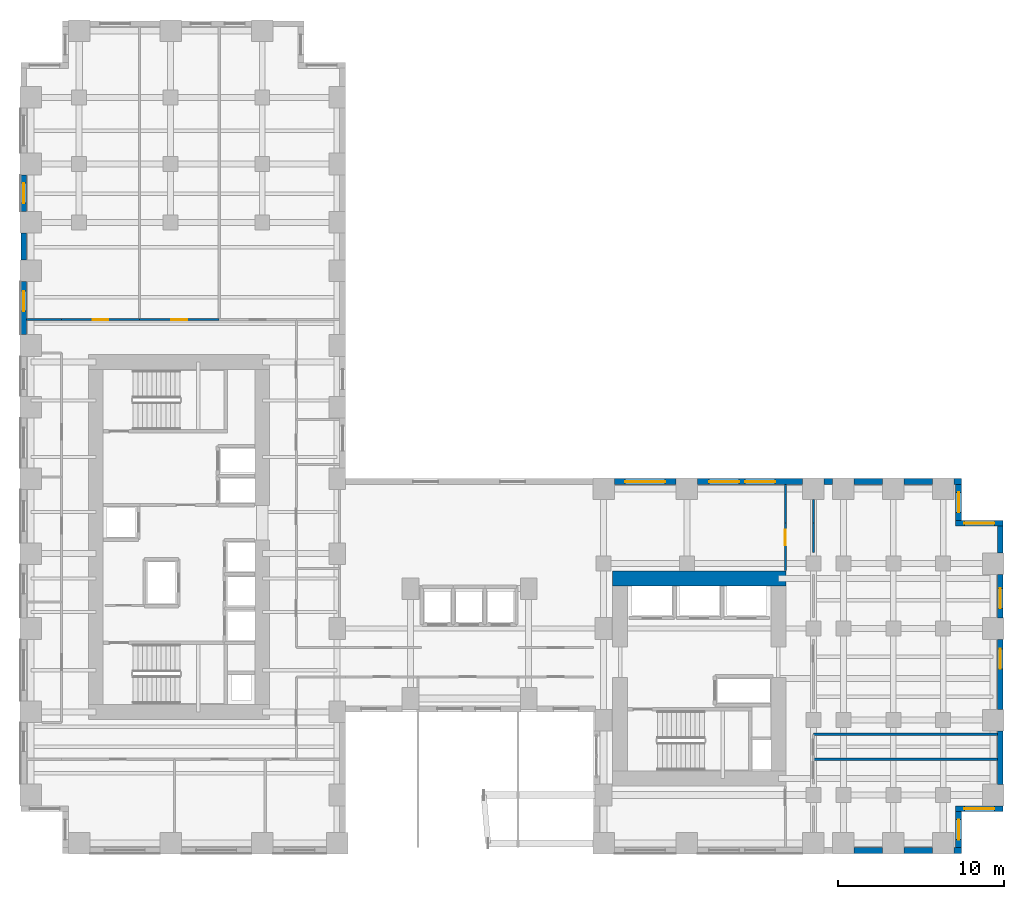
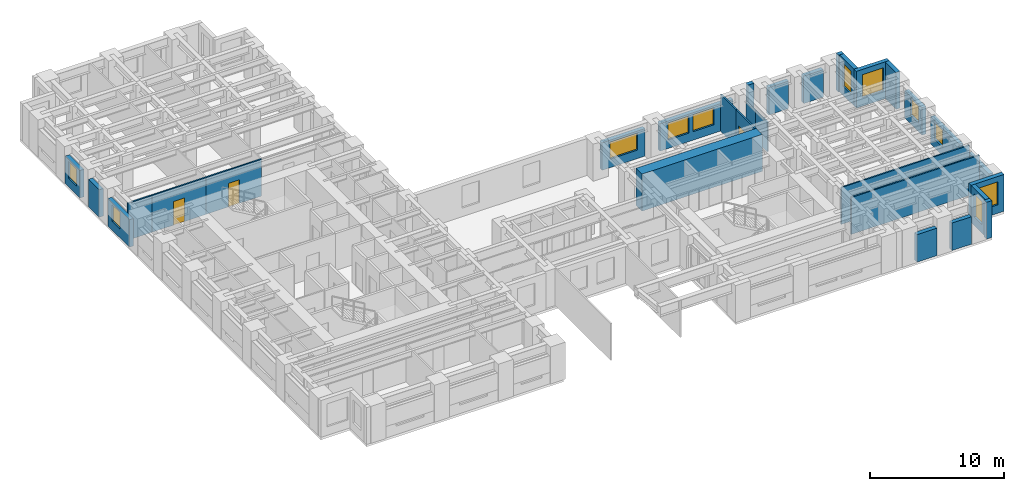
# One storey, part 11 of 14: 30 walls, 11 windows, 3 doors, 14 openings.
"""IFC4 building model written with IfcOpenShell, lengths in metres."""

from ifc_helpers import new_model, si_unit, direction, frame, frame_2d, origin, place, context, subcontext, project, spatial, rectangle, extrude, source, transform, mapped, material, layer, layer_set, type_object, element, fill, save


model = new_model("IFC4")

# Units and contexts
model_context = context("Model", 3, precision=1e-05, world=origin(), true_north=direction((0.0, 1.0)))
body_context = subcontext(model_context, "Body", "Model", "MODEL_VIEW")
ifc_project = project(units=[si_unit("LENGTHUNIT", "METRE"), si_unit("AREAUNIT", "SQUARE_METRE"), si_unit("VOLUMEUNIT", "CUBIC_METRE"), si_unit("PLANEANGLEUNIT", "RADIAN"), si_unit("MASSUNIT", "GRAM", prefix="KILO")], contexts=[model_context])

# Site, building, storey
site_placement = place(None, origin())
site = spatial("IfcSite", under=ifc_project, at=site_placement, CompositionType="ELEMENT")
building_placement = place(site_placement, origin())
building = spatial("IfcBuilding", under=site, at=building_placement, Name="Kharzan Plaza Tower", CompositionType="ELEMENT")
storey_placement = place(building_placement, frame((0.0, 0.0, 58.5)))
storey = spatial("IfcBuildingStorey", under=building, at=storey_placement, Name="L15", CompositionType="ELEMENT", Elevation=58.5)

# Wall, opening, window
ifc_material_1 = material(Name="Concrete C40/50", Category="concrete")
ifc_layer_1 = layer(ifc_material_1, 0.35009765625)
ifc_layer_set_1 = layer_set([ifc_layer_1], Name="Concrete C40/50")
wall_type_1 = type_object("IfcWallType", Name="WL-EXT-MAS-Z1", PredefinedType="SOLIDWALL", material=ifc_layer_set_1)
wall_1_placement = place(storey_placement, frame((0.175048828125, 40.751953125, 0.0), z_axis=(0.0, 0.0, 1.0), x_axis=(0.0, -1.0, 0.0)))
wall_1 = element("IfcWall", 1, at=wall_1_placement, inside=storey, type_object=wall_type_1, Name="L15 Masonry-Frame Exterior Wall 11", PredefinedType="SOLIDWALL", context=body_context, shape_type="SweptSolid", body=[
    extrude(rectangle(XDim=2.203857421875, YDim=0.35009765625, at=frame_2d((1.10205078125, 0.0))), origin(), (0.0, 0.0, 1.0), 2.510009765625),
])
opening_1_placement = place(wall_1_placement, frame((0.501953125, 0.0, 0.780029296875)))
opening_1 = element("IfcOpeningElement", 2, at=opening_1_placement, cuts=wall_1, Name="Opening W3", PredefinedType="OPENING", context=body_context, shape_type="SweptSolid", body=[
    extrude(rectangle(XDim=1.199951171875, YDim=1.550048828125, at=frame_2d((0.60009765625, 0.77490234375))), frame((0.0, 0.18505859375, 0.0), z_axis=(0.0, -1.0, 0.0), x_axis=(1.0, 0.0, 0.0)), (0.0, 0.0, 1.0), 0.3701171875),
])
ifc_material_2 = material(Name="Low-E Double Glazing", Category="glass")
window_type_1 = type_object("IfcWindowType", Name="WN-REC-1200x2100", PartitioningType="SINGLE_PANEL", PredefinedType="WINDOW", material=ifc_material_2)
shared_shape_1 = source(origin(), body_context, "Body", "SweptSolid", [
    extrude(rectangle(XDim=1.199951171875, YDim=1.550048828125, at=frame_2d((0.60009765625, 0.77490234375))), frame((0.0, 0.030029296875, 0.0), z_axis=(0.0, -1.0, 0.0), x_axis=(1.0, 0.0, 0.0)), (0.0, 0.0, 1.0), 0.06005859375),
])
window_1_placement = place(opening_1_placement, origin())
window_1 = element("IfcWindow", 3, at=window_1_placement, inside=storey, type_object=window_type_1, Name="L15 Recessed Solar-Control Window 11-1", OverallHeight=1.550048828125, OverallWidth=1.199951171875, PartitioningType="SINGLE_PANEL", PredefinedType="WINDOW", context=body_context, shape_type="MappedRepresentation", body=[
    mapped(shared_shape_1, transform((0.0, 0.0, 0.0), x_axis=(1.0, 0.0, 0.0), y_axis=(0.0, 1.0, 0.0), z_axis=(0.0, 0.0, 1.0))),
])
fill(opening_1, window_1)

wall_2_placement = place(storey_placement, frame((0.175048828125, 34.35205078125, 0.0), z_axis=(0.0, 0.0, 1.0), x_axis=(0.0, -1.0, 0.0)))
wall_2 = element("IfcWall", 4, at=wall_2_placement, inside=storey, type_object=wall_type_1, Name="L15 Masonry-Frame Exterior Wall 13", PredefinedType="SOLIDWALL", context=body_context, shape_type="SweptSolid", body=[
    extrude(rectangle(XDim=3.2041015625, YDim=0.35009765625, at=frame_2d((1.60205078125, 0.0))), origin(), (0.0, 0.0, 1.0), 2.510009765625),
])
opening_2_placement = place(wall_2_placement, frame((0.5859375, 0.0, 0.780029296875)))
opening_2 = element("IfcOpeningElement", 5, at=opening_2_placement, cuts=wall_2, Name="Opening W3", PredefinedType="OPENING", context=body_context, shape_type="SweptSolid", body=[
    extrude(rectangle(XDim=1.199951171875, YDim=1.550048828125, at=frame_2d((0.60009765625, 0.77490234375))), frame((0.0, 0.18505859375, 0.0), z_axis=(0.0, -1.0, 0.0), x_axis=(1.0, 0.0, 0.0)), (0.0, 0.0, 1.0), 0.3701171875),
])
window_2_placement = place(opening_2_placement, origin())
window_2 = element("IfcWindow", 6, at=window_2_placement, inside=storey, type_object=window_type_1, Name="L15 Recessed Solar-Control Window 13-1", OverallHeight=1.550048828125, OverallWidth=1.199951171875, PartitioningType="SINGLE_PANEL", PredefinedType="WINDOW", context=body_context, shape_type="MappedRepresentation", body=[
    mapped(shared_shape_1, transform((0.0, 0.0, 0.0), x_axis=(1.0, 0.0, 0.0), y_axis=(0.0, 1.0, 0.0), z_axis=(0.0, 0.0, 1.0))),
])
fill(opening_2, window_2)

wall_3_placement = place(storey_placement, frame((56.324951171875, 0.347900390625, 0.0), z_axis=(0.0, 0.0, 1.0), x_axis=(0.0, 1.0, 0.0)))
wall_3 = element("IfcWall", 7, at=wall_3_placement, inside=storey, type_object=wall_type_1, Name="L15 Masonry-Frame Exterior Wall 40", PredefinedType="SOLIDWALL", context=body_context, shape_type="SweptSolid", body=[
    extrude(rectangle(XDim=2.154052734375, YDim=0.35009765625, at=frame_2d((1.0771484375, 0.0))), origin(), (0.0, 0.0, 1.0), 3.364990234375),
])
opening_3_placement = place(wall_3_placement, frame((0.47705078125, 0.0, 0.780029296875)))
opening_3 = element("IfcOpeningElement", 8, at=opening_3_placement, cuts=wall_3, Name="Opening W3", PredefinedType="OPENING", context=body_context, shape_type="SweptSolid", body=[
    extrude(rectangle(XDim=1.199951171875, YDim=2.10009765625, at=frame_2d((0.60009765625, 1.050048828125))), frame((0.0, 0.18505859375, 0.0), z_axis=(0.0, -1.0, 0.0), x_axis=(1.0, 0.0, 0.0)), (0.0, 0.0, 1.0), 0.3701171875),
])
shared_shape_2 = source(origin(), body_context, "Body", "SweptSolid", [
    extrude(rectangle(XDim=1.199951171875, YDim=2.10009765625, at=frame_2d((0.60009765625, 1.050048828125))), frame((0.0, 0.030029296875, 0.0), z_axis=(0.0, -1.0, 0.0), x_axis=(1.0, 0.0, 0.0)), (0.0, 0.0, 1.0), 0.06005859375),
])
window_3_placement = place(opening_3_placement, origin())
window_3 = element("IfcWindow", 9, at=window_3_placement, inside=storey, type_object=window_type_1, Name="L15 Recessed Solar-Control Window 40-1", OverallHeight=2.10009765625, OverallWidth=1.199951171875, PartitioningType="SINGLE_PANEL", PredefinedType="WINDOW", context=body_context, shape_type="MappedRepresentation", body=[
    mapped(shared_shape_2, transform((0.0, 0.0, 0.0), x_axis=(1.0, 0.0, 0.0), y_axis=(0.0, 1.0, 0.0), z_axis=(0.0, 0.0, 1.0))),
])
fill(opening_3, window_3)

wall_4_placement = place(storey_placement, frame((56.14990234375, 2.675048828125, 0.0), z_axis=(0.0, 0.0, 1.0), x_axis=(1.0, 0.0, 0.0)))
wall_4 = element("IfcWall", 10, at=wall_4_placement, inside=storey, type_object=wall_type_1, Name="L15 Masonry-Frame Exterior Wall 41", PredefinedType="SOLIDWALL", context=body_context, shape_type="SweptSolid", body=[
    extrude(rectangle(XDim=2.85009765625, YDim=0.35009765625, at=frame_2d((1.425048828125, 0.0))), origin(), (0.0, 0.0, 1.0), 3.364990234375),
])
opening_4_placement = place(wall_4_placement, frame((0.52490234375, 0.0, 0.780029296875)))
opening_4 = element("IfcOpeningElement", 11, at=opening_4_placement, cuts=wall_4, Name="Opening W1", PredefinedType="OPENING", context=body_context, shape_type="SweptSolid", body=[
    extrude(rectangle(XDim=1.800048828125, YDim=2.10009765625, at=frame_2d((0.89990234375, 1.050048828125))), frame((0.0, 0.18505859375, 0.0), z_axis=(0.0, -1.0, 0.0), x_axis=(1.0, 0.0, 0.0)), (0.0, 0.0, 1.0), 0.3701171875),
])
window_type_2 = type_object("IfcWindowType", Name="WN-REC-1800x2100", PartitioningType="SINGLE_PANEL", PredefinedType="WINDOW", material=ifc_material_2)
shared_shape_3 = source(origin(), body_context, "Body", "SweptSolid", [
    extrude(rectangle(XDim=1.800048828125, YDim=2.10009765625, at=frame_2d((0.89990234375, 1.050048828125))), frame((0.0, 0.030029296875, 0.0), z_axis=(0.0, -1.0, 0.0), x_axis=(1.0, 0.0, 0.0)), (0.0, 0.0, 1.0), 0.06005859375),
])
window_4_placement = place(opening_4_placement, origin())
window_4 = element("IfcWindow", 12, at=window_4_placement, inside=storey, type_object=window_type_2, Name="L15 Recessed Solar-Control Window 41-1", OverallHeight=2.10009765625, OverallWidth=1.800048828125, PartitioningType="SINGLE_PANEL", PredefinedType="WINDOW", context=body_context, shape_type="MappedRepresentation", body=[
    mapped(shared_shape_3, transform((0.0, 0.0, 0.0), x_axis=(1.0, 0.0, 0.0), y_axis=(0.0, 1.0, 0.0), z_axis=(0.0, 0.0, 1.0))),
])
fill(opening_4, window_4)

wall_5_placement = place(storey_placement, frame((58.824951171875, 8.64794921875, 0.0), z_axis=(0.0, 0.0, 1.0), x_axis=(0.0, 1.0, 0.0)))
wall_5 = element("IfcWall", 13, at=wall_5_placement, inside=storey, type_object=wall_type_1, Name="L15 Masonry-Frame Exterior Wall 43", PredefinedType="SOLIDWALL", context=body_context, shape_type="SweptSolid", body=[
    extrude(rectangle(XDim=4.2041015625, YDim=0.35009765625, at=frame_2d((2.10205078125, 0.0))), origin(), (0.0, 0.0, 1.0), 2.510009765625),
])
opening_5_placement = place(wall_5_placement, frame((2.436767578125, 0.0, 0.780029296875)))
opening_5 = element("IfcOpeningElement", 14, at=opening_5_placement, cuts=wall_5, Name="Opening W3", PredefinedType="OPENING", context=body_context, shape_type="SweptSolid", body=[
    extrude(rectangle(XDim=1.199951171875, YDim=1.550048828125, at=frame_2d((0.60009765625, 0.77490234375))), frame((0.0, 0.18505859375, 0.0), z_axis=(0.0, -1.0, 0.0), x_axis=(1.0, 0.0, 0.0)), (0.0, 0.0, 1.0), 0.3701171875),
])
window_5_placement = place(opening_5_placement, origin())
window_5 = element("IfcWindow", 15, at=window_5_placement, inside=storey, type_object=window_type_1, Name="L15 Recessed Solar-Control Window 43-1", OverallHeight=1.550048828125, OverallWidth=1.199951171875, PartitioningType="SINGLE_PANEL", PredefinedType="WINDOW", context=body_context, shape_type="MappedRepresentation", body=[
    mapped(shared_shape_1, transform((0.0, 0.0, 0.0), x_axis=(1.0, 0.0, 0.0), y_axis=(0.0, 1.0, 0.0), z_axis=(0.0, 0.0, 1.0))),
])
fill(opening_5, window_5)

wall_6_placement = place(storey_placement, frame((58.824951171875, 14.14794921875, 0.0), z_axis=(0.0, 0.0, 1.0), x_axis=(0.0, 1.0, 0.0)))
wall_6 = element("IfcWall", 16, at=wall_6_placement, inside=storey, type_object=wall_type_1, Name="L15 Masonry-Frame Exterior Wall 44", PredefinedType="SOLIDWALL", context=body_context, shape_type="SweptSolid", body=[
    extrude(rectangle(XDim=2.60400390625, YDim=0.35009765625, at=frame_2d((1.302001953125, 0.0))), origin(), (0.0, 0.0, 1.0), 2.510009765625),
])
opening_6_placement = place(wall_6_placement, frame((0.5673828125, 0.0, 0.780029296875)))
opening_6 = element("IfcOpeningElement", 17, at=opening_6_placement, cuts=wall_6, Name="Opening W3", PredefinedType="OPENING", context=body_context, shape_type="SweptSolid", body=[
    extrude(rectangle(XDim=1.199951171875, YDim=1.550048828125, at=frame_2d((0.60009765625, 0.77490234375))), frame((0.0, 0.18505859375, 0.0), z_axis=(0.0, -1.0, 0.0), x_axis=(1.0, 0.0, 0.0)), (0.0, 0.0, 1.0), 0.3701171875),
])
window_6_placement = place(opening_6_placement, origin())
window_6 = element("IfcWindow", 18, at=window_6_placement, inside=storey, type_object=window_type_1, Name="L15 Recessed Solar-Control Window 44-1", OverallHeight=1.550048828125, OverallWidth=1.199951171875, PartitioningType="SINGLE_PANEL", PredefinedType="WINDOW", context=body_context, shape_type="MappedRepresentation", body=[
    mapped(shared_shape_1, transform((0.0, 0.0, 0.0), x_axis=(1.0, 0.0, 0.0), y_axis=(0.0, 1.0, 0.0), z_axis=(0.0, 0.0, 1.0))),
])
fill(opening_6, window_6)

wall_7_placement = place(storey_placement, frame((59.0, 19.824951171875, 0.0), z_axis=(0.0, 0.0, 1.0), x_axis=(-1.0, 0.0, 0.0)))
wall_7 = element("IfcWall", 19, at=wall_7_placement, inside=storey, type_object=wall_type_1, Name="L15 Masonry-Frame Exterior Wall 46", PredefinedType="SOLIDWALL", context=body_context, shape_type="SweptSolid", body=[
    extrude(rectangle(XDim=2.85009765625, YDim=0.35009765625, at=frame_2d((1.425048828125, 0.0))), origin(), (0.0, 0.0, 1.0), 3.364990234375),
])
opening_7_placement = place(wall_7_placement, frame((0.52490234375, 0.0, 0.780029296875)))
opening_7 = element("IfcOpeningElement", 20, at=opening_7_placement, cuts=wall_7, Name="Opening W1", PredefinedType="OPENING", context=body_context, shape_type="SweptSolid", body=[
    extrude(rectangle(XDim=1.800048828125, YDim=2.10009765625, at=frame_2d((0.89990234375, 1.050048828125))), frame((0.0, 0.18505859375, 0.0), z_axis=(0.0, -1.0, 0.0), x_axis=(1.0, 0.0, 0.0)), (0.0, 0.0, 1.0), 0.3701171875),
])
window_7_placement = place(opening_7_placement, origin())
window_7 = element("IfcWindow", 21, at=window_7_placement, inside=storey, type_object=window_type_2, Name="L15 Recessed Solar-Control Window 46-1", OverallHeight=2.10009765625, OverallWidth=1.800048828125, PartitioningType="SINGLE_PANEL", PredefinedType="WINDOW", context=body_context, shape_type="MappedRepresentation", body=[
    mapped(shared_shape_3, transform((0.0, 0.0, 0.0), x_axis=(1.0, 0.0, 0.0), y_axis=(0.0, 1.0, 0.0), z_axis=(0.0, 0.0, 1.0))),
])
fill(opening_7, window_7)

wall_8_placement = place(storey_placement, frame((56.324951171875, 19.998046875, 0.0), z_axis=(0.0, 0.0, 1.0), x_axis=(0.0, 1.0, 0.0)))
wall_8 = element("IfcWall", 22, at=wall_8_placement, inside=storey, type_object=wall_type_1, Name="L15 Masonry-Frame Exterior Wall 47", PredefinedType="SOLIDWALL", context=body_context, shape_type="SweptSolid", body=[
    extrude(rectangle(XDim=2.154052734375, YDim=0.35009765625, at=frame_2d((1.0771484375, 0.0))), origin(), (0.0, 0.0, 1.0), 3.364990234375),
])
opening_8_placement = place(wall_8_placement, frame((0.47705078125, 0.0, 0.780029296875)))
opening_8 = element("IfcOpeningElement", 23, at=opening_8_placement, cuts=wall_8, Name="Opening W3", PredefinedType="OPENING", context=body_context, shape_type="SweptSolid", body=[
    extrude(rectangle(XDim=1.199951171875, YDim=2.10009765625, at=frame_2d((0.60009765625, 1.050048828125))), frame((0.0, 0.18505859375, 0.0), z_axis=(0.0, -1.0, 0.0), x_axis=(1.0, 0.0, 0.0)), (0.0, 0.0, 1.0), 0.3701171875),
])
window_8_placement = place(opening_8_placement, origin())
window_8 = element("IfcWindow", 24, at=window_8_placement, inside=storey, type_object=window_type_1, Name="L15 Recessed Solar-Control Window 47-1", OverallHeight=2.10009765625, OverallWidth=1.199951171875, PartitioningType="SINGLE_PANEL", PredefinedType="WINDOW", context=body_context, shape_type="MappedRepresentation", body=[
    mapped(shared_shape_2, transform((0.0, 0.0, 0.0), x_axis=(1.0, 0.0, 0.0), y_axis=(0.0, 1.0, 0.0), z_axis=(0.0, 0.0, 1.0))),
])
fill(opening_8, window_8)

# Wall, openings, windows
wall_9_placement = place(storey_placement, frame((46.951904296875, 22.324951171875, 0.0), z_axis=(0.0, 0.0, 1.0), x_axis=(-1.0, 0.0, 0.0)))
wall_9 = element("IfcWall", 25, at=wall_9_placement, inside=storey, type_object=wall_type_1, Name="L15 Masonry-Frame Exterior Wall 52", PredefinedType="SOLIDWALL", context=body_context, shape_type="SweptSolid", body=[
    extrude(rectangle(XDim=6.303955078125, YDim=0.35009765625, at=frame_2d((3.15185546875, 0.0))), origin(), (0.0, 0.0, 1.0), 2.510009765625),
])
opening_9_placement = place(wall_9_placement, frame((1.6494140625, 0.0, 0.780029296875)))
opening_9 = element("IfcOpeningElement", 26, at=opening_9_placement, cuts=wall_9, Name="Opening W1", PredefinedType="OPENING", context=body_context, shape_type="SweptSolid", body=[
    extrude(rectangle(XDim=1.800048828125, YDim=1.550048828125, at=frame_2d((0.89990234375, 0.77490234375))), frame((0.0, 0.18505859375, 0.0), z_axis=(0.0, -1.0, 0.0), x_axis=(1.0, 0.0, 0.0)), (0.0, 0.0, 1.0), 0.3701171875),
])
opening_10_placement = place(wall_9_placement, frame((3.816650390625, 0.0, 0.780029296875)))
opening_10 = element("IfcOpeningElement", 27, at=opening_10_placement, cuts=wall_9, Name="Opening W1", PredefinedType="OPENING", context=body_context, shape_type="SweptSolid", body=[
    extrude(rectangle(XDim=1.800048828125, YDim=1.550048828125, at=frame_2d((0.89990234375, 0.77490234375))), frame((0.0, 0.18505859375, 0.0), z_axis=(0.0, -1.0, 0.0), x_axis=(1.0, 0.0, 0.0)), (0.0, 0.0, 1.0), 0.3701171875),
])
shared_shape_4 = source(origin(), body_context, "Body", "SweptSolid", [
    extrude(rectangle(XDim=1.800048828125, YDim=1.550048828125, at=frame_2d((0.89990234375, 0.77490234375))), frame((0.0, 0.030029296875, 0.0), z_axis=(0.0, -1.0, 0.0), x_axis=(1.0, 0.0, 0.0)), (0.0, 0.0, 1.0), 0.06005859375),
])
window_9_placement = place(opening_9_placement, origin())
window_9 = element("IfcWindow", 28, at=window_9_placement, inside=storey, type_object=window_type_2, Name="L15 Recessed Solar-Control Window 52-1", OverallHeight=1.550048828125, OverallWidth=1.800048828125, PartitioningType="SINGLE_PANEL", PredefinedType="WINDOW", context=body_context, shape_type="MappedRepresentation", body=[
    mapped(shared_shape_4, transform((0.0, 0.0, 0.0), x_axis=(1.0, 0.0, 0.0), y_axis=(0.0, 1.0, 0.0), z_axis=(0.0, 0.0, 1.0))),
])
fill(opening_9, window_9)
window_10_placement = place(opening_10_placement, origin())
window_10 = element("IfcWindow", 29, at=window_10_placement, inside=storey, type_object=window_type_2, Name="L15 Recessed Solar-Control Window 52-2", OverallHeight=1.550048828125, OverallWidth=1.800048828125, PartitioningType="SINGLE_PANEL", PredefinedType="WINDOW", context=body_context, shape_type="MappedRepresentation", body=[
    mapped(shared_shape_4, transform((0.0, 0.0, 0.0), x_axis=(1.0, 0.0, 0.0), y_axis=(0.0, 1.0, 0.0), z_axis=(0.0, 0.0, 1.0))),
])
fill(opening_10, window_10)

# Wall, opening, window
wall_10_placement = place(storey_placement, frame((39.35205078125, 22.324951171875, 0.0), z_axis=(0.0, 0.0, 1.0), x_axis=(-1.0, 0.0, 0.0)))
wall_10 = element("IfcWall", 30, at=wall_10_placement, inside=storey, type_object=wall_type_1, Name="L15 Masonry-Frame Exterior Wall 53", PredefinedType="SOLIDWALL", context=body_context, shape_type="SweptSolid", body=[
    extrude(rectangle(XDim=3.7041015625, YDim=0.35009765625, at=frame_2d((1.85205078125, 0.0))), origin(), (0.0, 0.0, 1.0), 2.510009765625),
])
opening_11_placement = place(wall_10_placement, frame((0.652099609375, 0.0, 0.780029296875)))
opening_11 = element("IfcOpeningElement", 31, at=opening_11_placement, cuts=wall_10, Name="Opening W2", PredefinedType="OPENING", context=body_context, shape_type="SweptSolid", body=[
    extrude(rectangle(XDim=2.39990234375, YDim=1.550048828125, at=frame_2d((1.199951171875, 0.77490234375))), frame((0.0, 0.18505859375, 0.0), z_axis=(0.0, -1.0, 0.0), x_axis=(1.0, 0.0, 0.0)), (0.0, 0.0, 1.0), 0.3701171875),
])
window_type_3 = type_object("IfcWindowType", Name="WN-REC-2400x2100", PartitioningType="SINGLE_PANEL", PredefinedType="WINDOW", material=ifc_material_2)
shared_shape_5 = source(origin(), body_context, "Body", "SweptSolid", [
    extrude(rectangle(XDim=2.39990234375, YDim=1.550048828125, at=frame_2d((1.199951171875, 0.77490234375))), frame((0.0, 0.030029296875, 0.0), z_axis=(0.0, -1.0, 0.0), x_axis=(1.0, 0.0, 0.0)), (0.0, 0.0, 1.0), 0.06005859375),
])
window_11_placement = place(opening_11_placement, origin())
window_11 = element("IfcWindow", 32, at=window_11_placement, inside=storey, type_object=window_type_3, Name="L15 Wide Recessed Solar-Control Window 53-1", OverallHeight=1.550048828125, OverallWidth=2.39990234375, PartitioningType="SINGLE_PANEL", PredefinedType="WINDOW", context=body_context, shape_type="MappedRepresentation", body=[
    mapped(shared_shape_5, transform((0.0, 0.0, 0.0), x_axis=(1.0, 0.0, 0.0), y_axis=(0.0, 1.0, 0.0), z_axis=(0.0, 0.0, 1.0))),
])
fill(opening_11, window_11)

# Wall, opening, door
ifc_material_3 = material(Name="Fire-Rated Gypsum Board Partition", Category="gypsum")
ifc_layer_2 = layer(ifc_material_3, 0.125)
ifc_layer_set_2 = layer_set([ifc_layer_2], Name="Fire-Rated Gypsum Board Partition")
wall_type_2 = type_object("IfcWallType", Name="WL-INT-PART-125", PredefinedType="PARTITIONING", material=ifc_layer_set_2)
wall_11_placement = place(storey_placement, frame((2.449951171875, 32.050048828125, 0.0), z_axis=(0.0, 0.0, 1.0), x_axis=(1.0, 0.0, 0.0)))
wall_11 = element("IfcWall", 33, at=wall_11_placement, inside=storey, type_object=wall_type_2, Name="L15 Interior Partition SH-NN-1", PredefinedType="PARTITIONING", context=body_context, shape_type="SweptSolid", body=[
    extrude(rectangle(XDim=4.671142578125, YDim=0.125, at=frame_2d((2.33544921875, 0.0))), origin(), (0.0, 0.0, 1.0), 3.364990234375),
])
opening_12_placement = place(wall_11_placement, frame((1.860595703125, 0.0, 0.0)))
opening_12 = element("IfcOpeningElement", 34, at=opening_12_placement, cuts=wall_11, Name="Opening OD1", PredefinedType="OPENING", context=body_context, shape_type="SweptSolid", body=[
    extrude(rectangle(XDim=0.949951171875, YDim=2.14990234375, at=frame_2d((0.47509765625, 1.074951171875))), frame((0.0, 0.072509765625, 0.0), z_axis=(0.0, -1.0, 0.0), x_axis=(1.0, 0.0, 0.0)), (0.0, 0.0, 1.0), 0.14501953125),
])
ifc_material_4 = material(Name="Acoustic Solid-Core Stained Oak", Category="timber")
door_type = type_object("IfcDoorType", Name="DR-OFF-SINGLE", OperationType="NOTDEFINED", PredefinedType="DOOR", material=ifc_material_4)
shared_shape_6 = source(origin(), body_context, "Body", "SweptSolid", [
    extrude(rectangle(XDim=0.949951171875, YDim=2.14990234375, at=frame_2d((0.47509765625, 1.074951171875))), frame((0.0, 0.02490234375, 0.0), z_axis=(0.0, -1.0, 0.0), x_axis=(1.0, 0.0, 0.0)), (0.0, 0.0, 1.0), 0.050048828125),
])
door_1_placement = place(opening_12_placement, origin())
door_1 = element("IfcDoor", 35, at=door_1_placement, inside=storey, type_object=door_type, Name="L15 Staff Tea Pantry Door", OperationType="SINGLE_SWING_RIGHT", OverallHeight=2.14990234375, OverallWidth=0.949951171875, PredefinedType="DOOR", context=body_context, shape_type="MappedRepresentation", body=[
    mapped(shared_shape_6, transform((0.0, 0.0, 0.0), x_axis=(1.0, 0.0, 0.0), y_axis=(0.0, 1.0, 0.0), z_axis=(0.0, 0.0, 1.0))),
])
fill(opening_12, door_1)

wall_12_placement = place(storey_placement, frame((7.12109375, 32.050048828125, 0.0), z_axis=(0.0, 0.0, 1.0), x_axis=(1.0, 0.0, 0.0)))
wall_12 = element("IfcWall", 36, at=wall_12_placement, inside=storey, type_object=wall_type_2, Name="L15 Interior Partition SH-NN-2", PredefinedType="PARTITIONING", context=body_context, shape_type="SweptSolid", body=[
    extrude(rectangle(XDim=4.794921875, YDim=0.125, at=frame_2d((2.3974609375, 0.0))), origin(), (0.0, 0.0, 1.0), 3.364990234375),
])
opening_13_placement = place(wall_12_placement, frame((1.922607421875, 0.0, 0.0)))
opening_13 = element("IfcOpeningElement", 37, at=opening_13_placement, cuts=wall_12, Name="Opening OD1", PredefinedType="OPENING", context=body_context, shape_type="SweptSolid", body=[
    extrude(rectangle(XDim=0.949951171875, YDim=2.14990234375, at=frame_2d((0.47509765625, 1.074951171875))), frame((0.0, 0.072509765625, 0.0), z_axis=(0.0, -1.0, 0.0), x_axis=(1.0, 0.0, 0.0)), (0.0, 0.0, 1.0), 0.14501953125),
])
door_2_placement = place(opening_13_placement, origin())
door_2 = element("IfcDoor", 38, at=door_2_placement, inside=storey, type_object=door_type, Name="L15 Hydrodynamics Computing Lab Door", OperationType="SINGLE_SWING_LEFT", OverallHeight=2.14990234375, OverallWidth=0.949951171875, PredefinedType="DOOR", context=body_context, shape_type="MappedRepresentation", body=[
    mapped(shared_shape_6, transform((0.0, 0.0, 0.0), x_axis=(1.0, 0.0, 0.0), y_axis=(0.0, 1.0, 0.0), z_axis=(0.0, 0.0, 1.0))),
])
fill(opening_13, door_2)

wall_13_placement = place(storey_placement, frame((45.919921875, 16.97998046875, 0.0), z_axis=(0.0, 0.0, 1.0), x_axis=(0.0, 1.0, 0.0)))
wall_13 = element("IfcWall", 39, at=wall_13_placement, inside=storey, type_object=wall_type_2, Name="L15 Interior Partition SH-RBNE", PredefinedType="PARTITIONING", context=body_context, shape_type="SweptSolid", body=[
    extrude(rectangle(XDim=2.8701171875, YDim=0.125, at=frame_2d((1.43505859375, 0.0))), origin(), (0.0, 0.0, 1.0), 3.364990234375),
])
opening_14_placement = place(wall_13_placement, frame((1.51708984375, 0.0, 0.0)))
opening_14 = element("IfcOpeningElement", 40, at=opening_14_placement, cuts=wall_13, Name="Opening OD1", PredefinedType="OPENING", context=body_context, shape_type="SweptSolid", body=[
    extrude(rectangle(XDim=0.949951171875, YDim=2.14990234375, at=frame_2d((0.47509765625, 1.074951171875))), frame((0.0, 0.072509765625, 0.0), z_axis=(0.0, -1.0, 0.0), x_axis=(1.0, 0.0, 0.0)), (0.0, 0.0, 1.0), 0.14501953125),
])
door_3_placement = place(opening_14_placement, origin())
door_3 = element("IfcDoor", 41, at=door_3_placement, inside=storey, type_object=door_type, Name="L15 Wing B North Studio Door", OperationType="SINGLE_SWING_RIGHT", OverallHeight=2.14990234375, OverallWidth=0.949951171875, PredefinedType="DOOR", context=body_context, shape_type="MappedRepresentation", body=[
    mapped(shared_shape_6, transform((0.0, 0.0, 0.0), x_axis=(1.0, 0.0, 0.0), y_axis=(0.0, 1.0, 0.0), z_axis=(0.0, 0.0, 1.0))),
])
fill(opening_14, door_3)

# Walls
ifc_material_5 = material(Name="Concrete C60/75", Category="concrete")
ifc_layer_3 = layer(ifc_material_5, 0.89990234375)
ifc_layer_set_3 = layer_set([ifc_layer_3], Name="Concrete C60/75")
wall_type_3 = type_object("IfcWallType", Name="WL-CORE-900", PredefinedType="SHEAR", material=ifc_layer_set_3)
shared_shape_7 = source(origin(), body_context, "Body", "SweptSolid", [
    extrude(rectangle(XDim=10.39990234375, YDim=0.89990234375, at=frame_2d((5.199951171875, 0.0))), origin(), (0.0, 0.0, 1.0), 3.3798828125),
])
wall_14_placement = place(storey_placement, frame((35.550048828125, 16.5, 0.0), z_axis=(0.0, 0.0, 1.0), x_axis=(1.0, 0.0, 0.0)))
element("IfcWall", 42, at=wall_14_placement, inside=storey, type_object=wall_type_3, Name="L15 CORE-B north RC shear wall", PredefinedType="SHEAR", context=body_context, shape_type="MappedRepresentation", body=[
    mapped(shared_shape_7, transform((0.0, 0.0, 0.0), x_axis=(1.0, 0.0, 0.0), y_axis=(0.0, 1.0, 0.0), z_axis=(0.0, 0.0, 1.0))),
])
shared_shape_8 = source(origin(), body_context, "Body", "SweptSolid", [
    extrude(rectangle(XDim=1.60400390625, YDim=0.35009765625, at=frame_2d((0.802001953125, 0.0))), origin(), (0.0, 0.0, 1.0), 2.510009765625),
])
wall_15_placement = place(storey_placement, frame((0.175048828125, 37.251953125, 0.0), z_axis=(0.0, 0.0, 1.0), x_axis=(0.0, -1.0, 0.0)))
element("IfcWall", 43, at=wall_15_placement, inside=storey, type_object=wall_type_1, Name="L15 Masonry-Frame Exterior Wall 12", PredefinedType="SOLIDWALL", context=body_context, shape_type="MappedRepresentation", body=[
    mapped(shared_shape_8, transform((0.0, 0.0, 0.0), x_axis=(1.0, 0.0, 0.0), y_axis=(0.0, 1.0, 0.0), z_axis=(0.0, 0.0, 1.0))),
])
shared_shape_9 = source(origin(), body_context, "Body", "SweptSolid", [
    extrude(rectangle(XDim=0.50390625, YDim=0.35009765625, at=frame_2d((0.251953125, 0.0))), origin(), (0.0, 0.0, 1.0), 3.364990234375),
])
wall_16_placement = place(storey_placement, frame((48.751953125, 22.324951171875, 0.0), z_axis=(0.0, 0.0, 1.0), x_axis=(-1.0, 0.0, 0.0)))
element("IfcWall", 44, at=wall_16_placement, inside=storey, type_object=wall_type_1, Name="L15 Masonry-Frame Exterior Wall 51", PredefinedType="SOLIDWALL", context=body_context, shape_type="MappedRepresentation", body=[
    mapped(shared_shape_9, transform((0.0, 0.0, 0.0), x_axis=(1.0, 0.0, 0.0), y_axis=(0.0, 1.0, 0.0), z_axis=(0.0, 0.0, 1.0))),
])
shared_shape_10 = source(origin(), body_context, "Body", "SweptSolid", [
    extrude(rectangle(XDim=1.703857421875, YDim=0.35009765625, at=frame_2d((0.85205078125, 0.0))), origin(), (0.0, 0.0, 1.0), 2.510009765625),
])
for number, where, z_axis, x_axis, name in (
    (45, (50.048095703125, 0.175048828125, 0.0), (0.0, 0.0, 1.0), (1.0, 0.0, 0.0), "L15 Masonry-Frame Exterior Wall 37"),
    (46, (53.048095703125, 0.175048828125, 0.0), (0.0, 0.0, 1.0), (1.0, 0.0, 0.0), "L15 Masonry-Frame Exterior Wall 38"),
    (47, (54.751953125, 22.324951171875, 0.0), (0.0, 0.0, 1.0), (-1.0, 0.0, 0.0), "L15 Masonry-Frame Exterior Wall 49"),
    (48, (51.751953125, 22.324951171875, 0.0), (0.0, 0.0, 1.0), (-1.0, 0.0, 0.0), "L15 Masonry-Frame Exterior Wall 50"),
):
    element("IfcWall", number, at=place(storey_placement, frame(where, z_axis=z_axis, x_axis=x_axis)), inside=storey, type_object=wall_type_1, Name=name, PredefinedType="SOLIDWALL", context=body_context, shape_type="MappedRepresentation", body=[
        mapped(shared_shape_10, transform((0.0, 0.0, 0.0), x_axis=(1.0, 0.0, 0.0), y_axis=(0.0, 1.0, 0.0), z_axis=(0.0, 0.0, 1.0))),
    ])
shared_shape_11 = source(origin(), body_context, "Body", "SweptSolid", [
    extrude(rectangle(XDim=0.451904296875, YDim=0.35009765625, at=frame_2d((0.22607421875, 0.0))), origin(), (0.0, 0.0, 1.0), 3.364990234375),
])
for number, where, z_axis, x_axis, name in (
    (49, (56.048095703125, 0.175048828125, 0.0), (0.0, 0.0, 1.0), (1.0, 0.0, 0.0), "L15 Masonry-Frame Exterior Wall 39"),
    (50, (56.5, 22.324951171875, 0.0), (0.0, 0.0, 1.0), (-1.0, 0.0, 0.0), "L15 Masonry-Frame Exterior Wall 48"),
):
    element("IfcWall", number, at=place(storey_placement, frame(where, z_axis=z_axis, x_axis=x_axis)), inside=storey, type_object=wall_type_1, Name=name, PredefinedType="SOLIDWALL", context=body_context, shape_type="MappedRepresentation", body=[
        mapped(shared_shape_11, transform((0.0, 0.0, 0.0), x_axis=(1.0, 0.0, 0.0), y_axis=(0.0, 1.0, 0.0), z_axis=(0.0, 0.0, 1.0))),
    ])
shared_shape_12 = source(origin(), body_context, "Body", "SweptSolid", [
    extrude(rectangle(XDim=3.2041015625, YDim=0.35009765625, at=frame_2d((1.60205078125, 0.0))), origin(), (0.0, 0.0, 1.0), 2.510009765625),
])
wall_17_placement = place(storey_placement, frame((58.824951171875, 4.14794921875, 0.0), z_axis=(0.0, 0.0, 1.0), x_axis=(0.0, 1.0, 0.0)))
element("IfcWall", 51, at=wall_17_placement, inside=storey, type_object=wall_type_1, Name="L15 Masonry-Frame Exterior Wall 42", PredefinedType="SOLIDWALL", context=body_context, shape_type="MappedRepresentation", body=[
    mapped(shared_shape_12, transform((0.0, 0.0, 0.0), x_axis=(1.0, 0.0, 0.0), y_axis=(0.0, 1.0, 0.0), z_axis=(0.0, 0.0, 1.0))),
])
shared_shape_13 = source(origin(), body_context, "Body", "SweptSolid", [
    extrude(rectangle(XDim=1.60400390625, YDim=0.35009765625, at=frame_2d((0.802001953125, 0.0))), origin(), (0.0, 0.0, 1.0), 3.364990234375),
])
wall_18_placement = place(storey_placement, frame((58.824951171875, 18.048095703125, 0.0), z_axis=(0.0, 0.0, 1.0), x_axis=(0.0, 1.0, 0.0)))
element("IfcWall", 52, at=wall_18_placement, inside=storey, type_object=wall_type_1, Name="L15 Masonry-Frame Exterior Wall 45", PredefinedType="SOLIDWALL", context=body_context, shape_type="MappedRepresentation", body=[
    mapped(shared_shape_13, transform((0.0, 0.0, 0.0), x_axis=(1.0, 0.0, 0.0), y_axis=(0.0, 1.0, 0.0), z_axis=(0.0, 0.0, 1.0))),
])
shared_shape_14 = source(origin(), body_context, "Body", "SweptSolid", [
    extrude(rectangle(XDim=11.0478515625, YDim=0.125, at=frame_2d((5.52392578125, 0.0))), origin(), (0.0, 0.0, 1.0), 3.364990234375),
])
for number, where, z_axis, x_axis, name in (
    (53, (47.60009765625, 5.64990234375, 0.0), (0.0, 0.0, 1.0), (1.0, 0.0, 0.0), "L15 Interior Partition SH-B0H1"),
    (54, (47.60009765625, 7.14990234375, 0.0), (0.0, 0.0, 1.0), (1.0, 0.0, 0.0), "L15 Interior Partition SH-B0H2"),
):
    element("IfcWall", number, at=place(storey_placement, frame(where, z_axis=z_axis, x_axis=x_axis)), inside=storey, type_object=wall_type_2, Name=name, PredefinedType="PARTITIONING", context=body_context, shape_type="MappedRepresentation", body=[
        mapped(shared_shape_14, transform((0.0, 0.0, 0.0), x_axis=(1.0, 0.0, 0.0), y_axis=(0.0, 1.0, 0.0), z_axis=(0.0, 0.0, 1.0))),
    ])
shared_shape_15 = source(origin(), body_context, "Body", "SweptSolid", [
    extrude(rectangle(XDim=1.7900390625, YDim=0.125, at=frame_2d((0.89501953125, 0.0))), origin(), (0.0, 0.0, 1.0), 2.669921875),
])
wall_19_placement = place(storey_placement, frame((47.60009765625, 18.06005859375, 0.0), z_axis=(0.0, 0.0, 1.0), x_axis=(0.0, 1.0, 0.0)))
element("IfcWall", 55, at=wall_19_placement, inside=storey, type_object=wall_type_2, Name="L15 Interior Partition SH-B0W1-S3", PredefinedType="PARTITIONING", context=body_context, shape_type="MappedRepresentation", body=[
    mapped(shared_shape_15, transform((0.0, 0.0, 0.0), x_axis=(1.0, 0.0, 0.0), y_axis=(0.0, 1.0, 0.0), z_axis=(0.0, 0.0, 1.0))),
])
shared_shape_16 = source(origin(), body_context, "Body", "SweptSolid", [
    extrude(rectangle(XDim=1.389892578125, YDim=0.125, at=frame_2d((0.69482421875, 0.0))), origin(), (0.0, 0.0, 1.0), 2.669921875),
])
wall_20_placement = place(storey_placement, frame((47.60009765625, 19.85009765625, 0.0), z_axis=(0.0, 0.0, 1.0), x_axis=(0.0, 1.0, 0.0)))
element("IfcWall", 56, at=wall_20_placement, inside=storey, type_object=wall_type_2, Name="L15 Interior Partition SH-B0W1N", PredefinedType="PARTITIONING", context=body_context, shape_type="MappedRepresentation", body=[
    mapped(shared_shape_16, transform((0.0, 0.0, 0.0), x_axis=(1.0, 0.0, 0.0), y_axis=(0.0, 1.0, 0.0), z_axis=(0.0, 0.0, 1.0))),
])
shared_shape_17 = source(origin(), body_context, "Body", "SweptSolid", [
    extrude(rectangle(XDim=2.2978515625, YDim=0.125, at=frame_2d((1.14892578125, 0.0))), origin(), (0.0, 0.0, 1.0), 3.364990234375),
])
wall_21_placement = place(storey_placement, frame((45.919921875, 19.85009765625, 0.0), z_axis=(0.0, 0.0, 1.0), x_axis=(0.0, 1.0, 0.0)))
element("IfcWall", 57, at=wall_21_placement, inside=storey, type_object=wall_type_2, Name="L15 Interior Partition SH-RBNE0", PredefinedType="PARTITIONING", context=body_context, shape_type="MappedRepresentation", body=[
    mapped(shared_shape_17, transform((0.0, 0.0, 0.0), x_axis=(1.0, 0.0, 0.0), y_axis=(0.0, 1.0, 0.0), z_axis=(0.0, 0.0, 1.0))),
])
shared_shape_18 = source(origin(), body_context, "Body", "SweptSolid", [
    extrude(rectangle(XDim=2.097900390625, YDim=0.125, at=frame_2d((1.048828125, 0.0))), origin(), (0.0, 0.0, 1.0), 3.364990234375),
])
wall_22_placement = place(storey_placement, frame((0.35205078125, 32.050048828125, 0.0), z_axis=(0.0, 0.0, 1.0), x_axis=(1.0, 0.0, 0.0)))
element("IfcWall", 58, at=wall_22_placement, inside=storey, type_object=wall_type_2, Name="L15 Interior Partition SH-NNW0", PredefinedType="PARTITIONING", context=body_context, shape_type="MappedRepresentation", body=[
    mapped(shared_shape_18, transform((0.0, 0.0, 0.0), x_axis=(1.0, 0.0, 0.0), y_axis=(0.0, 1.0, 0.0), z_axis=(0.0, 0.0, 1.0))),
])

save(model, "model.ifc")
